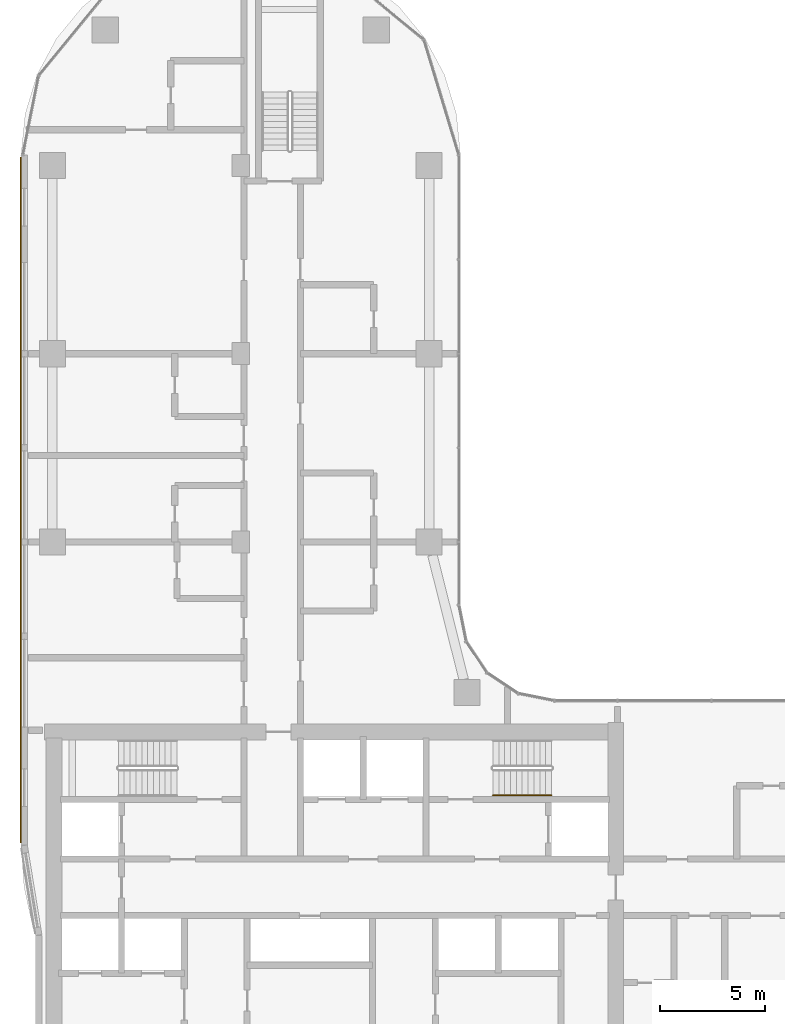
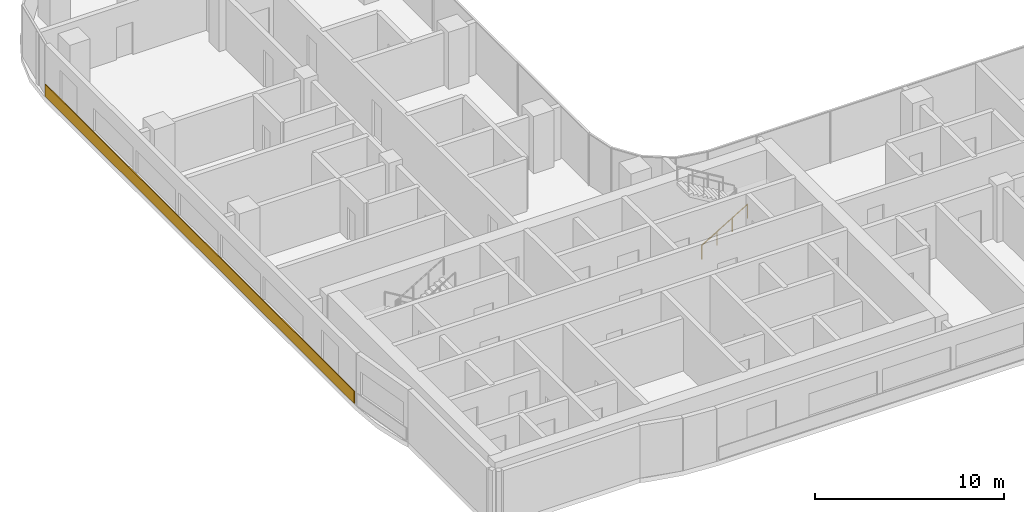
# One storey, part 18 of 22: 1 covering, 1 railing.
"""IFC4 building model written with IfcOpenShell, lengths in metres."""

from ifc_helpers import new_model, si_unit, direction, frame, origin, origin_2d, place, context, subcontext, project, spatial, rectangle, circle, extrude, material, layer, layer_set, type_object, element, save


model = new_model("IFC4")

# Units and contexts
model_context = context("Model", 3, precision=1e-05, world=origin(), true_north=direction((0.0, 1.0)))
body_context = subcontext(model_context, "Body", "Model", "MODEL_VIEW")
ifc_project = project(units=[si_unit("LENGTHUNIT", "METRE"), si_unit("AREAUNIT", "SQUARE_METRE"), si_unit("VOLUMEUNIT", "CUBIC_METRE"), si_unit("PLANEANGLEUNIT", "RADIAN"), si_unit("MASSUNIT", "GRAM", prefix="KILO")], contexts=[model_context])

# Site, building, storey
site_placement = place(None, origin())
site = spatial("IfcSite", under=ifc_project, at=site_placement, CompositionType="ELEMENT")
building_placement = place(site_placement, origin())
building = spatial("IfcBuilding", under=site, at=building_placement, Name="Ogive Portal Towers", CompositionType="ELEMENT")
storey_placement = place(building_placement, frame((0.0, 0.0, 113.0)))
storey = spatial("IfcBuildingStorey", under=building, at=storey_placement, Name="L27", CompositionType="ELEMENT", Elevation=113.0)

# Railing
ifc_material_1 = material(Name="Stainless steel handrail", Category="steel")
railing_type = type_object("IfcRailingType", Name="INT-HANDRAIL", PredefinedType="HANDRAIL", material=ifc_material_1)
railing_placement = place(storey_placement, frame((52.550048828125, 36.39990234375, 0.168212890625)))
element("IfcRailing", 1, at=railing_placement, inside=storey, type_object=railing_type, Name="L27 ST-A2 stair handrail 1", PredefinedType="HANDRAIL", context=body_context, shape_type="SweptSolid", body=[
    extrude(circle(Radius=0.02392578125, at=origin_2d()), frame((0.0, 0.0, 0.8759765625), z_axis=(0.857242210791, 0.0, 0.514913383045), x_axis=(0.0, 1.0, 0.0)), (0.0, 0.0, 1.0), 3.266357421875),
    extrude(circle(Radius=0.02099609375, at=origin_2d()), origin(), (0.0, 0.0, 1.0), 0.851806640625),
    extrude(circle(Radius=0.02099609375, at=origin_2d()), frame((0.933349609375, 0.0, 0.560546875)), (0.0, 0.0, 1.0), 0.851806640625),
    extrude(circle(Radius=0.02099609375, at=origin_2d()), frame((1.86669921875, 0.0, 1.121337890625)), (0.0, 0.0, 1.0), 0.851806640625),
    extrude(circle(Radius=0.02099609375, at=origin_2d()), frame((2.800048828125, 0.0, 1.681884765625)), (0.0, 0.0, 1.0), 0.851806640625),
])

# Covering
ifc_material_2 = material(Name="Limestone cladding on lightweight block wall", Category="masonry")
ifc_layer = layer(ifc_material_2, 0.050048828125)
ifc_layer_set = layer_set([ifc_layer], Name="SCREEN PERFORATED STONE")
covering_type = type_object("IfcCoveringType", Name="SCREEN PERFORATED STONE", PredefinedType="CLADDING", material=ifc_layer_set)
covering_placement = place(storey_placement, frame((29.97509765625, 50.50830078125, 0.10009765625), z_axis=(0.0, 0.0, 1.0), x_axis=(0.0, -1.0, 0.0)))
element("IfcCovering", 2, at=covering_placement, inside=storey, type_object=covering_type, Name="Tracery screen", PredefinedType="CLADDING", context=body_context, shape_type="SweptSolid", body=[
    extrude(rectangle(XDim=32.767822265625, YDim=0.050048828125, at=origin_2d()), origin(), (0.0, 0.0, 1.0), 0.800048828125),
])

save(model, "model.ifc")
